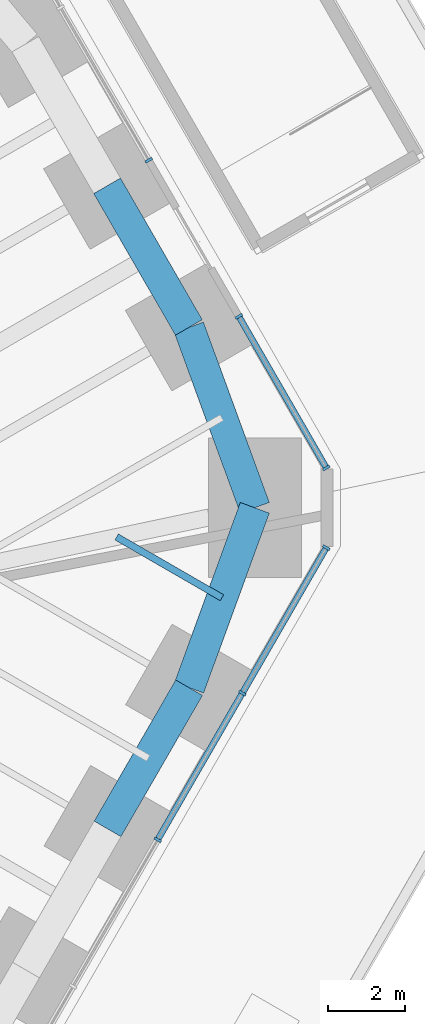
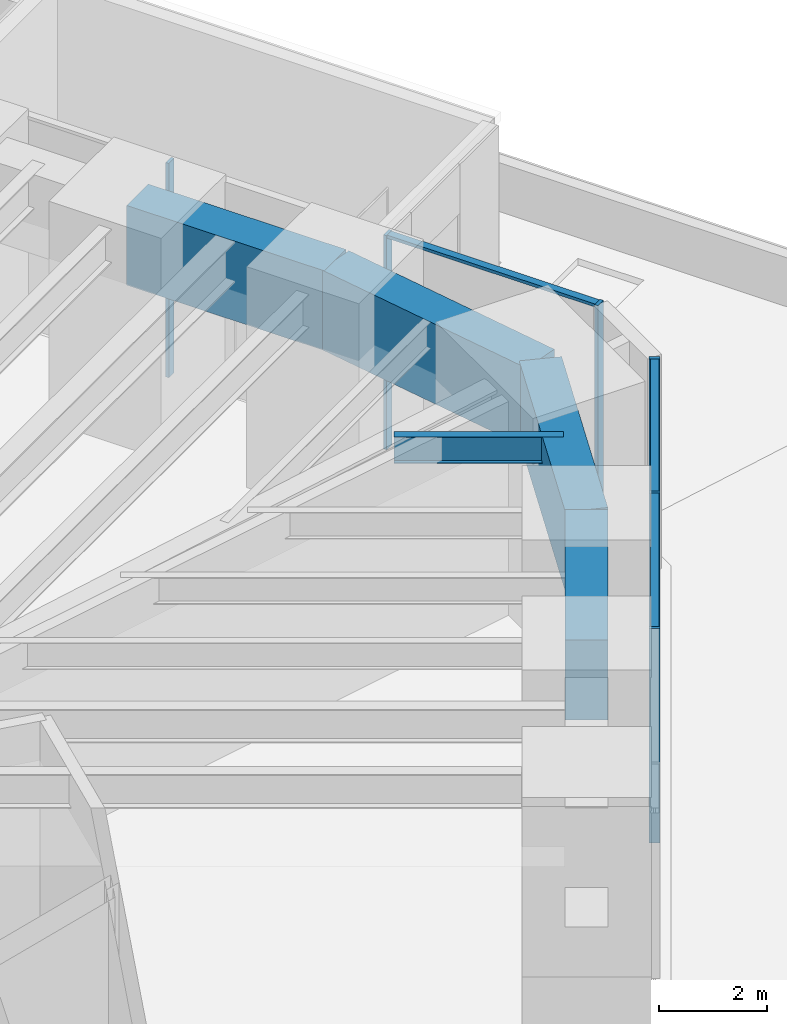
# One storey, part 8 of 20: 9 members, 5 beams, 3 elements without a shape of their own.
"""IFC4 building model written with IfcOpenShell, lengths in metres."""

import ifcopenshell
import ifcopenshell.guid

model = None  # the IFC model being written
_history = None  # IfcOwnerHistory: only IFC2X3 demands one
_inside = {}  # id of a spatial element -> (the spatial element, [elements in it])
_under = {}  # id of a project, library or spatial element -> (it, [spatial elements below it])
_declared = {}  # id of a project -> (the project, [libraries it declares])
_typed = {}  # id of a type object -> (the type object, [elements of that type])
_made_of = {}  # id of a material, layer set ... -> (it, [elements and type objects made of it])


def new_model(schema):
    """Start an empty IFC model of exactly this schema.

    Asked for "IFC4X3", IfcOpenShell would pick the latest addendum, in which some entities
    have other attributes; the version numbers below select the first issue.
    IFC2X3 requires an IfcOwnerHistory on every rooted entity: one is made here for all.
    """
    global model, _history
    if schema == "IFC4X3":
        model = ifcopenshell.file(schema_version=(4, 3, 0, 0))
    else:
        model = ifcopenshell.file(schema=schema)
    _inside.clear()
    _under.clear()
    _declared.clear()
    _typed.clear()
    _made_of.clear()
    _history = None
    if model.schema == "IFC2X3":
        org = make("IfcOrganization", Name="unknown")
        user = make(
            "IfcPersonAndOrganization",
            ThePerson=make("IfcPerson", FamilyName="unknown"),
            TheOrganization=org,
        )
        app = make(
            "IfcApplication",
            ApplicationDeveloper=org,
            Version="unknown",
            ApplicationFullName="unknown",
            ApplicationIdentifier="unknown",
        )
        _history = make(
            "IfcOwnerHistory",
            OwningUser=user,
            OwningApplication=app,
            ChangeAction="ADDED",
            CreationDate=0,
        )
    return model


def make(cls, **values):
    """One entity of the class cls with the attributes given. An attribute that is None is left unset."""
    return model.create_entity(
        cls, **{name: value for name, value in values.items() if value is not None}
    )


def rooted(cls, **values):
    """An entity with a GlobalId (a new one), such as an element, a storey or a relation."""
    return make(cls, GlobalId=ifcopenshell.guid.new(), OwnerHistory=_history, **values)


def si_unit(unit_type, name, prefix=None):
    """IfcSIUnit, for example si_unit("LENGTHUNIT", "METRE", prefix="MILLI")."""
    return make("IfcSIUnit", UnitType=unit_type, Prefix=prefix, Name=name)


def assignment(units):
    """IfcUnitAssignment: the units of a project."""
    return None if units is None else make("IfcUnitAssignment", Units=units)


def point(xyz):
    """IfcCartesianPoint."""
    return None if xyz is None else make("IfcCartesianPoint", Coordinates=xyz)


def direction(xyz):
    """IfcDirection."""
    return None if xyz is None else make("IfcDirection", DirectionRatios=xyz)


def frame(location, z_axis=None, x_axis=None):
    """IfcAxis2Placement3D, a coordinate frame: its origin and axes. An axis left out is left unset."""
    return make(
        "IfcAxis2Placement3D",
        Location=point(location),
        Axis=direction(z_axis),
        RefDirection=direction(x_axis),
    )


def frame_2d(location, x_axis=None):
    """IfcAxis2Placement2D, a coordinate frame in the plane: its origin and x axis."""
    return make(
        "IfcAxis2Placement2D", Location=point(location), RefDirection=direction(x_axis)
    )


def origin():
    """The frame at (0, 0, 0) with its axes left unset."""
    return frame((0.0, 0.0, 0.0))


def origin_2d():
    """The frame at (0, 0) in the plane with its x axis left unset."""
    return frame_2d((0.0, 0.0))


def place(relative_to, where):
    """IfcLocalPlacement: puts the frame where relative to a parent placement (None: the world)."""
    return make(
        "IfcLocalPlacement", PlacementRelTo=relative_to, RelativePlacement=where
    )


def context(
    kind, dimensions, precision=None, world=None, true_north=None, identifier=None
):
    """IfcGeometricRepresentationContext, for example the 3D "Model" context."""
    return make(
        "IfcGeometricRepresentationContext",
        ContextIdentifier=identifier,
        ContextType=kind,
        CoordinateSpaceDimension=dimensions,
        Precision=precision,
        WorldCoordinateSystem=world,
        TrueNorth=true_north,
    )


def subcontext(parent, identifier, kind, view, scale=None):
    """IfcGeometricRepresentationSubContext, for example "Body" below "Model"."""
    return make(
        "IfcGeometricRepresentationSubContext",
        ContextIdentifier=identifier,
        ContextType=kind,
        ParentContext=parent,
        TargetScale=scale,
        TargetView=view,
    )


def project(units=None, contexts=None):
    """IfcProject with its units and contexts."""
    return rooted(
        "IfcProject",
        Name="project",
        RepresentationContexts=contexts,
        UnitsInContext=assignment(units),
    )


def spatial(cls, under=None, at=None, **own):
    """A site, building, storey or space (cls), placed at a placement, below another one or the project."""
    s = rooted(cls, ObjectPlacement=at, **own)
    if under is not None:
        _under.setdefault(under.id(), (under, []))[1].append(s)
    return s


def profile(cls, at=None, kind="AREA", **sizes):
    """A parametric profile (cls). Its sizes go by their IFC names, for example OverallWidth=200.0."""
    return make(cls, ProfileType=kind, Position=at, **sizes)


def rectangle(**sizes):
    """IfcRectangleProfileDef."""
    return profile("IfcRectangleProfileDef", **sizes)


def i_section(**sizes):
    """IfcIShapeProfileDef."""
    return profile("IfcIShapeProfileDef", **sizes)


def extrude(swept, where, along, depth):
    """IfcExtrudedAreaSolid: the profile swept, set in the frame where, extruded along a direction by depth."""
    return make(
        "IfcExtrudedAreaSolid",
        SweptArea=swept,
        Position=where,
        ExtrudedDirection=direction(along),
        Depth=depth,
    )


def shape(context_of_items, identifier, shape_type, items):
    """IfcShapeRepresentation: the items that make up one representation, for example the "Body"."""
    return make(
        "IfcShapeRepresentation",
        ContextOfItems=context_of_items,
        RepresentationIdentifier=identifier,
        RepresentationType=shape_type,
        Items=items,
    )


def material(Name=None, Category=None):
    """IfcMaterial."""
    return make("IfcMaterial", Name=Name, Category=Category)


def material_profile(
    of_material, cross_section, Name=None, Category=None, Priority=None
):
    """IfcMaterialProfile: a cross section and its material."""
    return make(
        "IfcMaterialProfile",
        Name=Name,
        Material=of_material,
        Profile=cross_section,
        Priority=Priority,
        Category=Category,
    )


def profile_set(profiles, Name=None, composite=None):
    """IfcMaterialProfileSet."""
    return make(
        "IfcMaterialProfileSet",
        Name=Name,
        MaterialProfiles=profiles,
        CompositeProfile=composite,
    )


def made_of(thing, what):
    """Note that an element or type object is made of a material, layer set ...; save() writes the relation."""
    if what is not None:
        _made_of.setdefault(what.id(), (what, []))[1].append(thing)
    return thing


def type_object(cls, material=None, **own):
    """A type object (cls), such as IfcWallType, which elements share."""
    return made_of(rooted(cls, **own), material)


def element(
    cls,
    number,
    at=None,
    inside=None,
    cuts=None,
    type_object=None,
    material=None,
    context=None,
    identifier="Body",
    shape_type=None,
    held_by="IfcProductDefinitionShape",
    body=None,
    shapes=None,
    **own,
):
    """One element of the class cls, such as IfcWall. Its Tag is "e" and its number.

    at: its placement. inside: the storey or other place that contains it. cuts: it is an
    opening in that element (IfcRelVoidsElement). A single representation is given by context,
    identifier, shape_type and body (its items); several are given by shapes. held_by: the class
    of the entity that holds the representations. save() writes the other relations.
    """
    e = rooted(cls, Tag="e%d" % number, ObjectPlacement=at, **own)
    if body is not None:
        shapes = [shape(context, identifier, shape_type, body)]
    if shapes is not None:
        e.Representation = make(held_by, Representations=shapes)
    if inside is not None:
        _inside.setdefault(inside.id(), (inside, []))[1].append(e)
    if cuts is not None:
        rooted(
            "IfcRelVoidsElement", RelatingBuildingElement=cuts, RelatedOpeningElement=e
        )
    if type_object is not None:
        _typed.setdefault(type_object.id(), (type_object, []))[1].append(e)
    return made_of(e, material)


def aggregate(whole, parts):
    """IfcRelAggregates: a whole, such as a stair, and the parts it consists of."""
    return rooted("IfcRelAggregates", RelatingObject=whole, RelatedObjects=parts)


def save(model, path):
    """Write the relations noted so far, then the file.

    IfcRelAggregates (storeys below a building ...), IfcRelContainedInSpatialStructure (elements
    in a storey), IfcRelDefinesByType, IfcRelAssociatesMaterial and IfcRelDeclares: one each for
    every whole, place, type object, material and project.
    """
    for whole, parts in _under.values():
        aggregate(whole, parts)
    for where, things in _inside.values():
        rooted(
            "IfcRelContainedInSpatialStructure",
            RelatedElements=things,
            RelatingStructure=where,
        )
    for kind, things in _typed.values():
        rooted("IfcRelDefinesByType", RelatedObjects=things, RelatingType=kind)
    for what, things in _made_of.values():
        rooted("IfcRelAssociatesMaterial", RelatedObjects=things, RelatingMaterial=what)
    for by, libraries in _declared.values():
        rooted("IfcRelDeclares", RelatingContext=by, RelatedDefinitions=libraries)
    model.write(path)


model = new_model("IFC4")

# Units and contexts
model_context = context("Model", 3, precision=1e-05, world=origin(), true_north=direction((0.0, 1.0)))
body_context = subcontext(model_context, "Body", "Model", "MODEL_VIEW")
ifc_project = project(units=[si_unit("LENGTHUNIT", "METRE"), si_unit("AREAUNIT", "SQUARE_METRE"), si_unit("VOLUMEUNIT", "CUBIC_METRE"), si_unit("PLANEANGLEUNIT", "RADIAN"), si_unit("MASSUNIT", "GRAM", prefix="KILO")], contexts=[model_context])

# Site, building, storey
site_placement = place(None, origin())
site = spatial("IfcSite", under=ifc_project, at=site_placement, CompositionType="ELEMENT")
building_placement = place(site_placement, origin())
building = spatial("IfcBuilding", under=site, at=building_placement, Name="Sandreach Pilgrim Tower", CompositionType="ELEMENT")
storey_placement = place(building_placement, frame((0.0, 0.0, 18.0)))
storey = spatial("IfcBuildingStorey", under=building, at=storey_placement, Name="L03", CompositionType="ELEMENT", Elevation=18.0)

# Curtain wall, member
ifc_material_1 = material(Name="Aluminium framed curtain wall", Category="aluminium")
curtain_wall_type = type_object("IfcCurtainWallType", Name="Podium storefront curtain wall", PredefinedType="NOTDEFINED", material=ifc_material_1)
curtain_wall_1_placement = place(storey_placement, origin())
curtain_wall_1 = element("IfcCurtainWall", 1, at=curtain_wall_1_placement, inside=storey, type_object=curtain_wall_type, Name="CW-P L03 NEA", PredefinedType="NOTDEFINED")
ifc_material_2 = material(Name="Aluminium extrusion", Category="aluminium")
ifc_material_profile_1 = material_profile(ifc_material_2, rectangle(XDim=0.070068359375, YDim=0.199951171875, at=origin_2d()), Name="CW-PM 70X200")
ifc_profile_set_1 = profile_set([ifc_material_profile_1], Name="Aluminium extrusion")
member_type_1 = type_object("IfcMemberType", Name="CW-P mullion", PredefinedType="MULLION", material=ifc_profile_set_1)
member_1_placement = place(storey_placement, frame((25.97265625, 15.03564453125, 0.0), z_axis=(0.0, 0.0, 1.0), x_axis=(0.5, -0.866025403784, 0.0)))
member_1 = element("IfcMember", 2, at=member_1_placement, type_object=member_type_1, Name="CW-P mullion 3", PredefinedType="MULLION", context=body_context, shape_type="SweptSolid", body=[
    extrude(rectangle(XDim=0.070068359375, YDim=0.199951171875, at=origin_2d()), origin(), (0.0, 0.0, 1.0), 4.840087890625),
])
aggregate(curtain_wall_1, [member_1])

# Curtain wall, members
curtain_wall_2_placement = place(storey_placement, origin())
curtain_wall_2 = element("IfcCurtainWall", 3, at=curtain_wall_2_placement, inside=storey, type_object=curtain_wall_type, Name="CW-P L03 NEB", PredefinedType="NOTDEFINED")
member_2_placement = place(storey_placement, frame((28.30078125, 11.00341796875, 0.0), z_axis=(0.0, 0.0, 1.0), x_axis=(0.5, -0.866025403784, 0.0)))
member_2 = element("IfcMember", 4, at=member_2_placement, type_object=member_type_1, Name="CW-P mullion 1", PredefinedType="MULLION", context=body_context, shape_type="SweptSolid", body=[
    extrude(rectangle(XDim=0.070068359375, YDim=0.199951171875, at=origin_2d()), origin(), (0.0, 0.0, 1.0), 4.840087890625),
])
member_3_placement = place(storey_placement, frame((30.558837890625, 7.092529296875, 0.0), z_axis=(0.0, 0.0, 1.0), x_axis=(0.5, -0.866025403784, 0.0)))
member_3 = element("IfcMember", 5, at=member_3_placement, type_object=member_type_1, Name="CW-P mullion 2", PredefinedType="MULLION", context=body_context, shape_type="SweptSolid", body=[
    extrude(rectangle(XDim=0.070068359375, YDim=0.199951171875, at=origin_2d()), origin(), (0.0, 0.0, 1.0), 4.840087890625),
])

curtain_wall_3_placement = place(storey_placement, origin())
curtain_wall_3 = element("IfcCurtainWall", 6, at=curtain_wall_3_placement, inside=storey, type_object=curtain_wall_type, Name="CW-P L03 SEA", PredefinedType="NOTDEFINED")
member_4_placement = place(storey_placement, frame((30.558837890625, 5.031982421875, 0.0), z_axis=(0.0, 0.0, 1.0), x_axis=(-0.5, -0.866025403784, 0.0)))
member_4 = element("IfcMember", 7, at=member_4_placement, type_object=member_type_1, Name="CW-P mullion 1", PredefinedType="MULLION", context=body_context, shape_type="SweptSolid", body=[
    extrude(rectangle(XDim=0.070068359375, YDim=0.199951171875, at=origin_2d()), origin(), (0.0, 0.0, 1.0), 4.840087890625),
])
member_5_placement = place(storey_placement, frame((28.390380859375, 1.2763671875, 0.0), z_axis=(0.0, 0.0, 1.0), x_axis=(-0.5, -0.866025403784, 0.0)))
member_5 = element("IfcMember", 8, at=member_5_placement, type_object=member_type_1, Name="CW-P mullion 2", PredefinedType="MULLION", context=body_context, shape_type="SweptSolid", body=[
    extrude(rectangle(XDim=0.070068359375, YDim=0.199951171875, at=origin_2d()), origin(), (0.0, 0.0, 1.0), 4.840087890625),
])
member_6_placement = place(storey_placement, frame((26.20458984375, -2.509521484375, 0.0), z_axis=(0.0, 0.0, 1.0), x_axis=(-0.5, -0.866025403784, 0.0)))
member_6 = element("IfcMember", 9, at=member_6_placement, type_object=member_type_1, Name="CW-P mullion 3", PredefinedType="MULLION", context=body_context, shape_type="SweptSolid", body=[
    extrude(rectangle(XDim=0.070068359375, YDim=0.199951171875, at=origin_2d()), origin(), (0.0, 0.0, 1.0), 4.840087890625),
])

# Member
ifc_material_3 = material(Name="Aluminium extrusion", Category="aluminium")
ifc_material_profile_2 = material_profile(ifc_material_3, rectangle(XDim=0.159912109375, YDim=0.070068359375, at=origin_2d()), Name="CW-PT 160X70")
ifc_profile_set_2 = profile_set([ifc_material_profile_2], Name="Aluminium extrusion")
member_type_2 = type_object("IfcMemberType", Name="CW-P transom", PredefinedType="USERDEFINED", material=ifc_profile_set_2)
member_7_placement = place(storey_placement, frame((28.318115234375, 10.97314453125, 4.804931640625), z_axis=(0.500025076738, -0.866010925239, 0.0), x_axis=(0.866010925239, 0.500025076738, 0.0)))
member_7 = element("IfcMember", 10, at=member_7_placement, type_object=member_type_2, Name="CW-P head transom 1", ObjectType="TRANSOM", PredefinedType="USERDEFINED", context=body_context, shape_type="SweptSolid", body=[
    extrude(rectangle(XDim=0.159912109375, YDim=0.070068359375, at=origin_2d()), origin(), (0.0, 0.0, 1.0), 4.446044921875),
])

aggregate(curtain_wall_2, [member_2, member_3, member_7])

member_8_placement = place(storey_placement, frame((30.541259765625, 5.00146484375, 4.804931640625), z_axis=(-0.500016352561, -0.866015962423, 0.0), x_axis=(0.866015962423, -0.500016352561, 0.0)))
member_8 = element("IfcMember", 11, at=member_8_placement, type_object=member_type_2, Name="CW-P head transom 1", ObjectType="TRANSOM", PredefinedType="USERDEFINED", context=body_context, shape_type="SweptSolid", body=[
    extrude(rectangle(XDim=0.159912109375, YDim=0.070068359375, at=origin_2d()), origin(), (0.0, 0.0, 1.0), 4.266357421875),
])

member_9_placement = place(storey_placement, frame((28.373046875, 1.245849609375, 4.804931640625), z_axis=(-0.500033611107, -0.866005997533, 0.0), x_axis=(0.866005997533, -0.500033611107, 0.0)))
member_9 = element("IfcMember", 12, at=member_9_placement, type_object=member_type_2, Name="CW-P head transom 2", ObjectType="TRANSOM", PredefinedType="USERDEFINED", context=body_context, shape_type="SweptSolid", body=[
    extrude(rectangle(XDim=0.159912109375, YDim=0.070068359375, at=origin_2d()), origin(), (0.0, 0.0, 1.0), 4.301513671875),
])

aggregate(curtain_wall_3, [member_4, member_5, member_6, member_8, member_9])

# Beams
ifc_material_4 = material(Name="Steel ASTM A992 Grade 50", Category="steel")
ifc_material_profile_3 = material_profile(ifc_material_4, i_section(OverallWidth=0.1787109375, OverallDepth=0.60205078125, WebThickness=0.010986328125, FlangeThickness=0.014892578125, at=origin_2d()), Name="W24X62")
ifc_profile_set_3 = profile_set([ifc_material_profile_3], Name="Steel ASTM A992 Grade 50")
beam_type_1 = type_object("IfcBeamType", Name="Floor beam W24X62", PredefinedType="BEAM", material=ifc_profile_set_3)
beam_1_placement = place(storey_placement, frame((27.864501953125, 3.7392578125, 4.5390625), z_axis=(-0.866023718453, 0.500002919068, 0.0), x_axis=(-0.500002919068, -0.866023718453, 0.0)))
element("IfcBeam", 13, at=beam_1_placement, inside=storey, type_object=beam_type_1, Name="BM L03 FM13", PredefinedType="BEAM", context=body_context, shape_type="SweptSolid", body=[
    extrude(i_section(OverallWidth=0.1787109375, OverallDepth=0.60205078125, WebThickness=0.010986328125, FlangeThickness=0.014892578125, at=origin_2d()), origin(), (0.0, 0.0, 1.0), 3.1396484375),
])
ifc_material_5 = material(Name="Concrete 10000 psi", Category="concrete")
ifc_material_profile_4 = material_profile(ifc_material_5, rectangle(XDim=0.800048828125, YDim=1.800048828125, at=origin_2d()), Name="RC800X1800")
ifc_profile_set_4 = profile_set([ifc_material_profile_4], Name="Concrete 10000 psi")
beam_type_2 = type_object("IfcBeamType", Name="Spandrel beam RC800X1800", PredefinedType="SPANDREL", material=ifc_profile_set_4)
beam_2_placement = place(storey_placement, frame((24.89892578125, 14.37548828125, 3.93994140625), z_axis=(0.500019412692, -0.866014195571, 0.0), x_axis=(0.866014195571, 0.500019412692, 0.0)))
element("IfcBeam", 14, at=beam_2_placement, inside=storey, type_object=beam_type_2, Name="BM L03 SP11", PredefinedType="SPANDREL", context=body_context, shape_type="SweptSolid", body=[
    extrude(rectangle(XDim=0.800048828125, YDim=1.800048828125, at=origin_2d()), origin(), (0.0, 0.0, 1.0), 4.222412109375),
])
beam_3_placement = place(storey_placement, frame((27.01025390625, 10.71875, 3.93994140625), z_axis=(0.343367552823, -0.939201109278, 0.0), x_axis=(0.939201109278, 0.343367552823, 0.0)))
element("IfcBeam", 15, at=beam_3_placement, inside=storey, type_object=beam_type_2, Name="BM L03 SP12", PredefinedType="SPANDREL", context=body_context, shape_type="SweptSolid", body=[
    extrude(rectangle(XDim=0.800048828125, YDim=1.800048828125, at=origin_2d()), origin(), (0.0, 0.0, 1.0), 4.9580078125),
])
beam_4_placement = place(storey_placement, frame((28.712646484375, 6.062255859375, 3.93994140625), z_axis=(-0.342963480301, -0.939348737786, 0.0), x_axis=(0.939348737786, -0.342963480301, 0.0)))
element("IfcBeam", 16, at=beam_4_placement, inside=storey, type_object=beam_type_2, Name="BM L03 SP13", PredefinedType="SPANDREL", context=body_context, shape_type="SweptSolid", body=[
    extrude(rectangle(XDim=0.800048828125, YDim=1.800048828125, at=origin_2d()), origin(), (0.0, 0.0, 1.0), 4.946044921875),
])
beam_5_placement = place(storey_placement, frame((27.016357421875, 1.416259765625, 3.93994140625), z_axis=(-0.499993523031, -0.866029143232, 0.0), x_axis=(0.866029143232, -0.499993523031, 0.0)))
element("IfcBeam", 17, at=beam_5_placement, inside=storey, type_object=beam_type_2, Name="BM L03 SP14", PredefinedType="SPANDREL", context=body_context, shape_type="SweptSolid", body=[
    extrude(rectangle(XDim=0.800048828125, YDim=1.800048828125, at=origin_2d()), origin(), (0.0, 0.0, 1.0), 4.2099609375),
])

save(model, "model.ifc")
